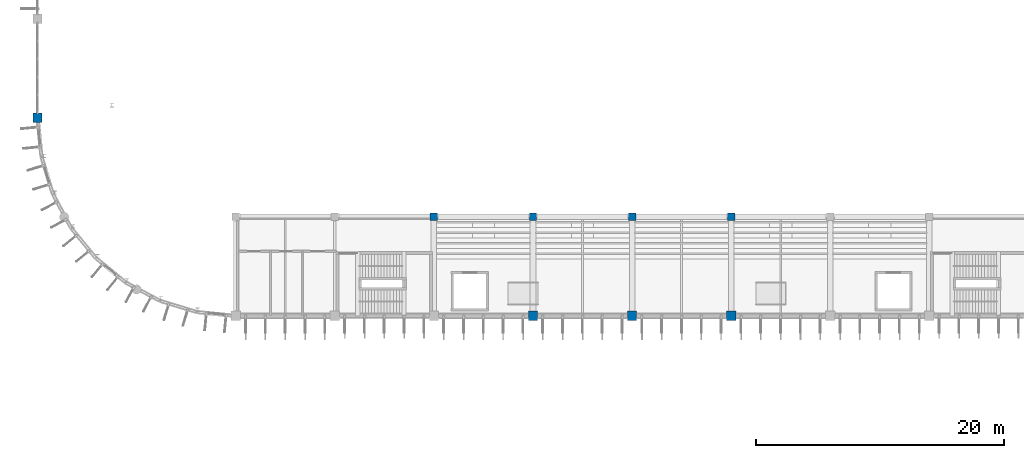
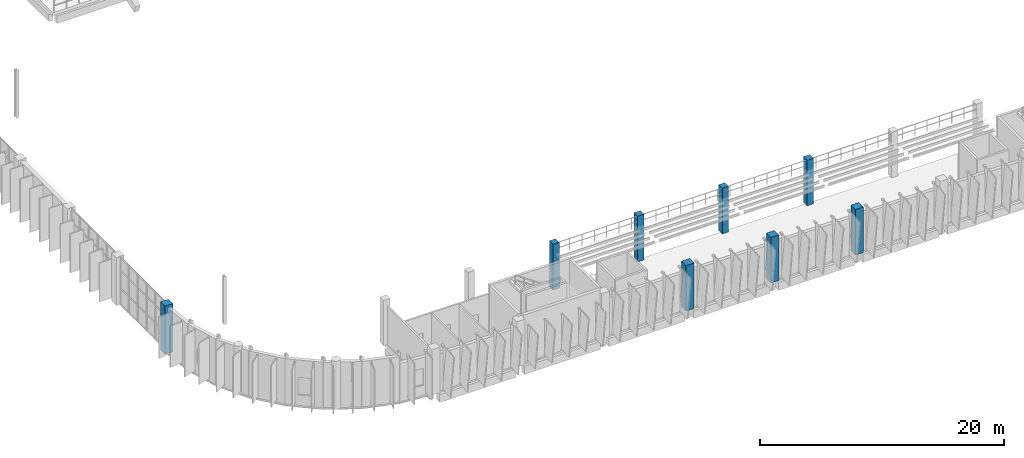
# One storey, part 2 of 93: 8 columns.
"""IFC4 building model written with IfcOpenShell, lengths in metres."""

from ifc_helpers import new_model, si_unit, direction, frame, origin, origin_2d, place, context, subcontext, project, spatial, rectangle, extrude, material, material_profile, profile_set, type_object, element, save


model = new_model("IFC4")

# Units and contexts
model_context = context("Model", 3, precision=1e-05, world=origin(), true_north=direction((0.0, 1.0)))
body_context = subcontext(model_context, "Body", "Model", "MODEL_VIEW")
ifc_project = project(units=[si_unit("LENGTHUNIT", "METRE"), si_unit("AREAUNIT", "SQUARE_METRE"), si_unit("VOLUMEUNIT", "CUBIC_METRE"), si_unit("PLANEANGLEUNIT", "RADIAN"), si_unit("MASSUNIT", "GRAM", prefix="KILO")], contexts=[model_context])

# Site, building, storey
site_placement = place(None, origin())
site = spatial("IfcSite", under=ifc_project, at=site_placement, CompositionType="ELEMENT")
building_placement = place(site_placement, origin())
building = spatial("IfcBuilding", under=site, at=building_placement, Name="Drelvana Railside Aquatics Centre", CompositionType="ELEMENT")
storey_placement = place(building_placement, frame((0.0, 0.0, 5.39990234375)))
storey = spatial("IfcBuildingStorey", under=building, at=storey_placement, Name="L01", CompositionType="ELEMENT", Elevation=5.39990234375)

# Columns
ifc_material = material(Name="Concrete C40/50", Category="concrete")
ifc_material_profile_1 = material_profile(ifc_material, rectangle(XDim=0.60009765625, YDim=0.60009765625, at=origin_2d()), Name="RC 600x600")
ifc_profile_set_1 = profile_set([ifc_material_profile_1], Name="Concrete C40/50")
column_type_1 = type_object("IfcColumnType", Name="STR-COL-RC-600x600", PredefinedType="COLUMN", material=ifc_profile_set_1)
for number, where, z_axis, x_axis, name in (
    (1, (32.0, 24.0, 0.0), (0.0, 0.0, 1.0), (1.0, 0.0, 0.0), "Column C-04 (L01)"),
    (2, (40.0, 24.0, 0.0), (0.0, 0.0, 1.0), (1.0, 0.0, 0.0), "Column C-04 (L01)"),
    (3, (48.0, 24.0, 0.0), (0.0, 0.0, 1.0), (1.0, 0.0, 0.0), "Column C-04 (L01)"),
    (4, (56.0, 24.0, 0.0), (0.0, 0.0, 1.0), (1.0, 0.0, 0.0), "Column C-04 (L01)"),
):
    element("IfcColumn", number, at=place(storey_placement, frame(where, z_axis=z_axis, x_axis=x_axis)), inside=storey, type_object=column_type_1, Name=name, PredefinedType="COLUMN", context=body_context, shape_type="SweptSolid", body=[
        extrude(rectangle(XDim=0.60009765625, YDim=0.60009765625, at=origin_2d()), origin(), (0.0, 0.0, 1.0), 4.550048828125),
    ])
ifc_material_profile_2 = material_profile(ifc_material, rectangle(XDim=0.75, YDim=0.75, at=origin_2d()), Name="RC 750x750")
ifc_profile_set_2 = profile_set([ifc_material_profile_2], Name="Concrete C40/50")
column_type_2 = type_object("IfcColumnType", Name="STR-COL-RC-750x750", PredefinedType="COLUMN", material=ifc_profile_set_2)
for number, where, z_axis, x_axis, name in (
    (5, (40.0, 16.0, 0.0), (0.0, 0.0, 1.0), (1.0, 0.0, 0.0), "Column C-07 (L01)"),
    (6, (48.0, 16.0, 0.0), (0.0, 0.0, 1.0), (1.0, 0.0, 0.0), "Column C-07 (L01)"),
    (7, (56.0, 16.0, 0.0), (0.0, 0.0, 1.0), (1.0, 0.0, 0.0), "Column C-07 (L01)"),
):
    element("IfcColumn", number, at=place(storey_placement, frame(where, z_axis=z_axis, x_axis=x_axis)), inside=storey, type_object=column_type_2, Name=name, PredefinedType="COLUMN", context=body_context, shape_type="SweptSolid", body=[
        extrude(rectangle(XDim=0.75, YDim=0.75, at=origin_2d()), origin(), (0.0, 0.0, 1.0), 4.550048828125),
    ])
column_placement = place(storey_placement, frame((0.0, 32.0, 0.0), z_axis=(0.0, 0.0, 1.0), x_axis=(1.0, 0.0, 0.0)))
element("IfcColumn", 8, at=column_placement, inside=storey, type_object=column_type_2, Name="Column C-07 (L01)", PredefinedType="COLUMN", context=body_context, shape_type="SweptSolid", body=[
    extrude(rectangle(XDim=0.75, YDim=0.75, at=origin_2d()), origin(), (0.0, 0.0, 1.0), 4.800048828125),
])

save(model, "model.ifc")
